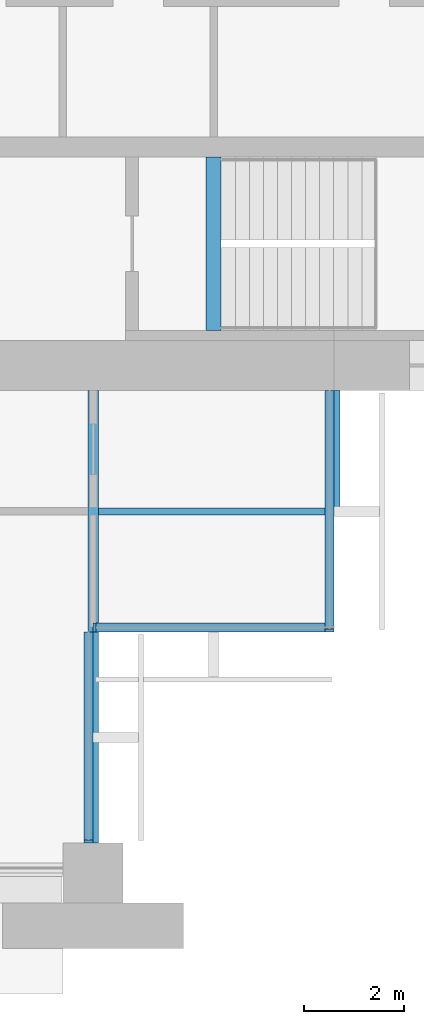
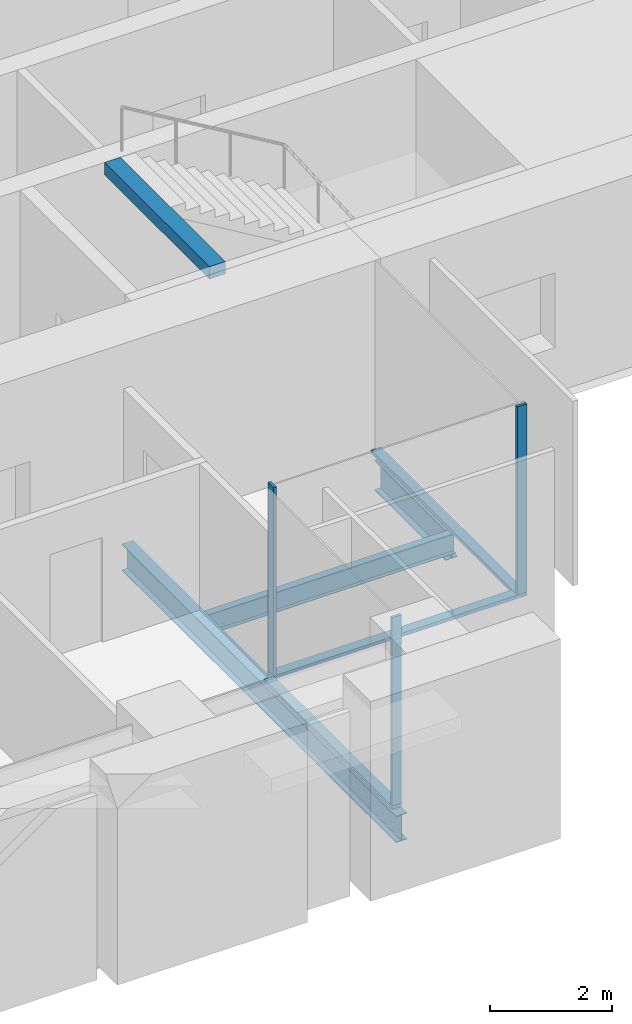
# One storey, part 4 of 15: 6 members, 4 beams, 3 elements without a shape of their own.
"""IFC4 building model written with IfcOpenShell, lengths in metres."""

from ifc_helpers import new_model, si_unit, direction, frame, origin, origin_2d, place, context, subcontext, project, spatial, rectangle, i_section, extrude, material, material_profile, profile_set, type_object, element, aggregate, save


model = new_model("IFC4")

# Units and contexts
model_context = context("Model", 3, precision=1e-05, world=origin(), true_north=direction((0.0, 1.0)))
body_context = subcontext(model_context, "Body", "Model", "MODEL_VIEW")
ifc_project = project(units=[si_unit("LENGTHUNIT", "METRE"), si_unit("AREAUNIT", "SQUARE_METRE"), si_unit("VOLUMEUNIT", "CUBIC_METRE"), si_unit("PLANEANGLEUNIT", "RADIAN"), si_unit("MASSUNIT", "GRAM", prefix="KILO")], contexts=[model_context])

# Site, building, storey
site_placement = place(None, origin())
site = spatial("IfcSite", under=ifc_project, at=site_placement, CompositionType="ELEMENT")
building_placement = place(site_placement, origin())
building = spatial("IfcBuilding", under=site, at=building_placement, Name="Baori Bourse Tower", CompositionType="ELEMENT")
storey_placement = place(building_placement, frame((0.0, 0.0, 152.10009765625)))
storey = spatial("IfcBuildingStorey", under=building, at=storey_placement, Name="L33", CompositionType="ELEMENT", Elevation=152.10009765625)

# Curtain wall, member
ifc_material_1 = material(Name="Pale anodised aluminium", Category="aluminium")
curtain_wall_type = type_object("IfcCurtainWallType", Name="CW2 Curtain wall", PredefinedType="NOTDEFINED", material=ifc_material_1)
curtain_wall_1_placement = place(storey_placement, origin())
curtain_wall_1 = element("IfcCurtainWall", 1, at=curtain_wall_1_placement, inside=storey, type_object=curtain_wall_type, Name="Curtain wall CW2 L33 16", PredefinedType="NOTDEFINED")
ifc_material_2 = material(Name="Pale anodised aluminium", Category="aluminium")
ifc_material_profile_1 = material_profile(ifc_material_2, rectangle(XDim=0.179931640625, YDim=0.054931640625, at=origin_2d()), Name="Mullion 55x180")
ifc_profile_set_1 = profile_set([ifc_material_profile_1], Name="Pale anodised aluminium")
member_type_1 = type_object("IfcMemberType", Name="CW2 Curtain wall mullion", PredefinedType="MULLION", material=ifc_profile_set_1)
member_1_placement = place(storey_placement, frame((43.110107421875, 0.62744140625, 0.06982421875), z_axis=(0.0, 0.0, 1.0), x_axis=(-1.0, 0.0, 0.0)))
member_1 = element("IfcMember", 2, at=member_1_placement, type_object=member_type_1, Name="Curtain wall CW2 mullion", PredefinedType="MULLION", context=body_context, shape_type="SweptSolid", body=[
    extrude(rectangle(XDim=0.179931640625, YDim=0.054931640625, at=origin_2d()), origin(), (0.0, 0.0, 1.0), 3.77001953125),
])

curtain_wall_2_placement = place(storey_placement, origin())
curtain_wall_2 = element("IfcCurtainWall", 3, at=curtain_wall_2_placement, inside=storey, type_object=curtain_wall_type, Name="Curtain wall CW2 L33 17", PredefinedType="NOTDEFINED")
member_2_placement = place(storey_placement, frame((43.2275390625, 4.889892578125, 0.06982421875), z_axis=(0.0, 0.0, 1.0), x_axis=(0.0, 1.0, 0.0)))
member_2 = element("IfcMember", 4, at=member_2_placement, type_object=member_type_1, Name="Curtain wall CW2 mullion", PredefinedType="MULLION", context=body_context, shape_type="SweptSolid", body=[
    extrude(rectangle(XDim=0.179931640625, YDim=0.054931640625, at=origin_2d()), origin(), (0.0, 0.0, 1.0), 3.77001953125),
])

curtain_wall_3_placement = place(storey_placement, origin())
curtain_wall_3 = element("IfcCurtainWall", 5, at=curtain_wall_3_placement, inside=storey, type_object=curtain_wall_type, Name="Curtain wall CW2 L33 18", PredefinedType="NOTDEFINED")
member_3_placement = place(storey_placement, frame((47.909912109375, 4.827392578125, 0.06982421875), z_axis=(0.0, 0.0, 1.0), x_axis=(-1.0, 0.0, 0.0)))
member_3 = element("IfcMember", 6, at=member_3_placement, type_object=member_type_1, Name="Curtain wall CW2 mullion", PredefinedType="MULLION", context=body_context, shape_type="SweptSolid", body=[
    extrude(rectangle(XDim=0.179931640625, YDim=0.054931640625, at=origin_2d()), origin(), (0.0, 0.0, 1.0), 3.77001953125),
])

# Member
ifc_material_3 = material(Name="Pale anodised aluminium", Category="aluminium")
ifc_material_profile_2 = material_profile(ifc_material_3, rectangle(XDim=0.179931640625, YDim=0.070068359375, at=origin_2d()), Name="Transom 70x180")
ifc_profile_set_2 = profile_set([ifc_material_profile_2], Name="Pale anodised aluminium")
member_type_2 = type_object("IfcMemberType", Name="CW2 Curtain wall transom", PredefinedType="USERDEFINED", material=ifc_profile_set_2)
member_4_placement = place(storey_placement, frame((43.110107421875, 0.60009765625, 0.034912109375), z_axis=(0.0, 1.0, 0.0), x_axis=(-1.0, 0.0, 0.0)))
member_4 = element("IfcMember", 7, at=member_4_placement, type_object=member_type_2, Name="Curtain wall CW2 sill rail", ObjectType="TRANSOM", PredefinedType="USERDEFINED", context=body_context, shape_type="SweptSolid", body=[
    extrude(rectangle(XDim=0.179931640625, YDim=0.070068359375, at=origin_2d()), origin(), (0.0, 0.0, 1.0), 4.199951171875),
])

aggregate(curtain_wall_1, [member_4, member_1])

member_5_placement = place(storey_placement, frame((43.199951171875, 4.889892578125, 0.034912109375), z_axis=(1.0, 0.0, 0.0), x_axis=(0.0, 1.0, 0.0)))
member_5 = element("IfcMember", 8, at=member_5_placement, type_object=member_type_2, Name="Curtain wall CW2 sill rail", ObjectType="TRANSOM", PredefinedType="USERDEFINED", context=body_context, shape_type="SweptSolid", body=[
    extrude(rectangle(XDim=0.179931640625, YDim=0.070068359375, at=origin_2d()), origin(), (0.0, 0.0, 1.0), 4.800048828125),
])

aggregate(curtain_wall_2, [member_5, member_2])

member_6_placement = place(storey_placement, frame((47.909912109375, 4.800048828125, 0.034912109375), z_axis=(0.0, 1.0, 0.0), x_axis=(-1.0, 0.0, 0.0)))
member_6 = element("IfcMember", 9, at=member_6_placement, type_object=member_type_2, Name="Curtain wall CW2 sill rail", ObjectType="TRANSOM", PredefinedType="USERDEFINED", context=body_context, shape_type="SweptSolid", body=[
    extrude(rectangle(XDim=0.179931640625, YDim=0.070068359375, at=origin_2d()), origin(), (0.0, 0.0, 1.0), 4.800048828125),
])

aggregate(curtain_wall_3, [member_6, member_3])

# Beams
ifc_material_4 = material(Name="Steel A992 Gr 50", Category="steel")
ifc_material_profile_3 = material_profile(ifc_material_4, i_section(OverallWidth=0.227783203125, OverallDepth=0.60205078125, WebThickness=0.010498046875, FlangeThickness=0.014892578125, at=origin_2d()), Name="W24x68")
ifc_profile_set_3 = profile_set([ifc_material_profile_3], Name="Steel A992 Gr 50")
beam_type_1 = type_object("IfcBeamType", Name="Core bracket W24x68", PredefinedType="BEAM", material=ifc_profile_set_3)
beam_1_placement = place(storey_placement, frame((48.0, 7.270263671875, -0.461181640625), z_axis=(0.0, 1.0, 0.0), x_axis=(-1.0, 0.0, 0.0)))
element("IfcBeam", 10, at=beam_1_placement, inside=storey, type_object=beam_type_1, Name="Core bracket L33", PredefinedType="BEAM", context=body_context, shape_type="SweptSolid", body=[
    extrude(i_section(OverallWidth=0.227783203125, OverallDepth=0.60205078125, WebThickness=0.010498046875, FlangeThickness=0.014892578125, at=origin_2d()), origin(), (0.0, 0.0, 1.0), 2.329833984375),
])
ifc_material_5 = material(Name="Steel A992 Gr 50", Category="steel")
ifc_material_profile_4 = material_profile(ifc_material_5, i_section(OverallWidth=0.209228515625, OverallDepth=0.533447265625, WebThickness=0.01025390625, FlangeThickness=0.015625, at=origin_2d()), Name="W21x62")
ifc_profile_set_4 = profile_set([ifc_material_profile_4], Name="Steel A992 Gr 50")
beam_type_2 = type_object("IfcBeamType", Name="Floor beam W21x62", PredefinedType="BEAM", material=ifc_profile_set_4)
beam_2_placement = place(storey_placement, frame((43.199951171875, 0.60009765625, -0.4267578125), z_axis=(0.0, 1.0, 0.0), x_axis=(-1.0, 0.0, 0.0)))
element("IfcBeam", 11, at=beam_2_placement, inside=storey, type_object=beam_type_2, Name="Floor beam L33", PredefinedType="BEAM", context=body_context, shape_type="SweptSolid", body=[
    extrude(i_section(OverallWidth=0.209228515625, OverallDepth=0.533447265625, WebThickness=0.01025390625, FlangeThickness=0.015625, at=origin_2d()), origin(), (0.0, 0.0, 1.0), 9.0),
])
ifc_material_6 = material(Name="Concrete f'c 50 MPa", Category="concrete")
ifc_material_profile_5 = material_profile(ifc_material_6, rectangle(XDim=0.300048828125, YDim=0.25, at=origin_2d()), Name="RC 300x250")
ifc_profile_set_5 = profile_set([ifc_material_profile_5], Name="Concrete f'c 50 MPa")
beam_type_3 = type_object("IfcBeamType", Name="Stair nib beam RC 300x250", PredefinedType="BEAM", material=ifc_profile_set_5)
beam_3_placement = place(storey_placement, frame((45.60009765625, 10.800048828125, 3.71484375), z_axis=(0.0, 1.0, 0.0), x_axis=(-1.0, 0.0, 0.0)))
element("IfcBeam", 12, at=beam_3_placement, inside=storey, type_object=beam_type_3, Name="Stair EA nib beam L34", PredefinedType="BEAM", context=body_context, shape_type="SweptSolid", body=[
    extrude(rectangle(XDim=0.300048828125, YDim=0.25, at=origin_2d()), origin(), (0.0, 0.0, 1.0), 3.449951171875),
])
ifc_material_7 = material(Name="Steel A992 Gr 50", Category="steel")
ifc_material_profile_6 = material_profile(ifc_material_7, i_section(OverallWidth=0.140380859375, OverallDepth=0.40380859375, WebThickness=0.007080078125, FlangeThickness=0.01123046875, at=origin_2d()), Name="W16x31")
ifc_profile_set_6 = profile_set([ifc_material_profile_6], Name="Steel A992 Gr 50")
beam_type_4 = type_object("IfcBeamType", Name="Trimmer beam W16x31", PredefinedType="BEAM", material=ifc_profile_set_6)
beam_4_placement = place(storey_placement, frame((43.3046875, 7.199951171875, -0.362060546875), z_axis=(1.0, 0.0, 0.0), x_axis=(0.0, 1.0, 0.0)))
element("IfcBeam", 13, at=beam_4_placement, inside=storey, type_object=beam_type_4, Name="Trimmer beam L33", PredefinedType="BEAM", context=body_context, shape_type="SweptSolid", body=[
    extrude(i_section(OverallWidth=0.140380859375, OverallDepth=0.40380859375, WebThickness=0.007080078125, FlangeThickness=0.01123046875, at=origin_2d()), origin(), (0.0, 0.0, 1.0), 4.6953125),
])

save(model, "model.ifc")
